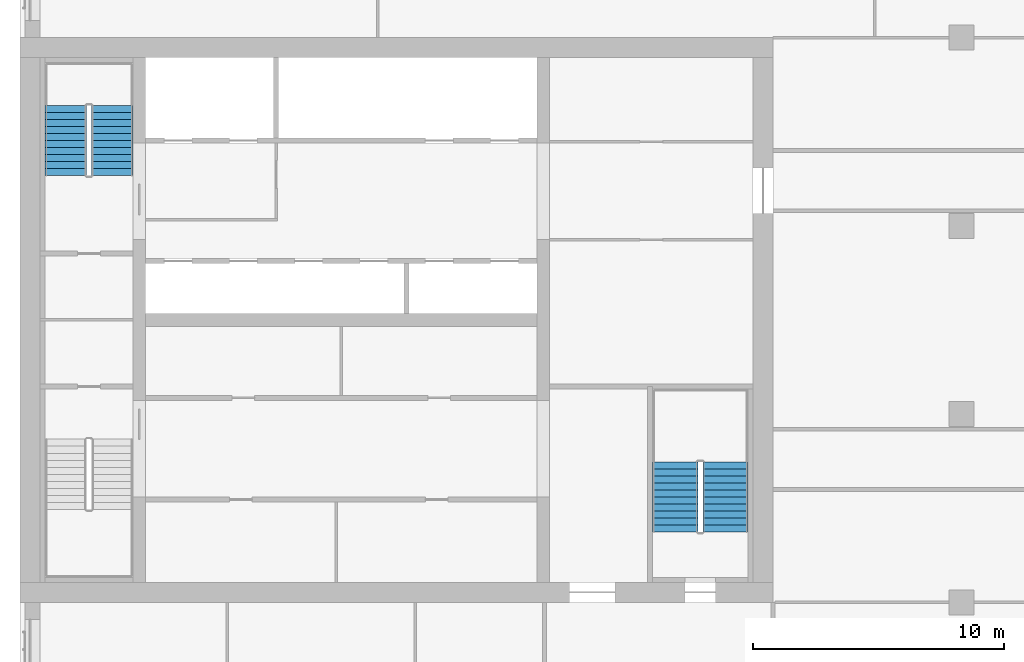
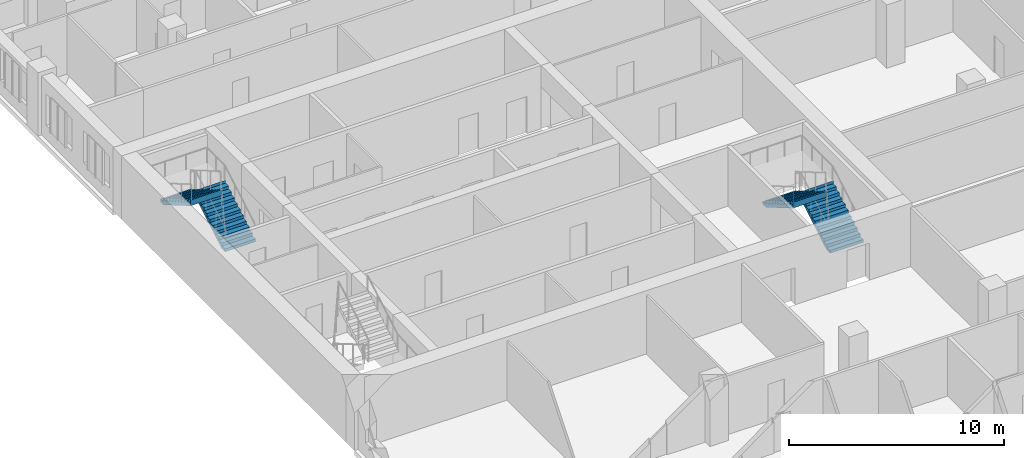
# One storey, part 12 of 13: 4 stair flights, 2 elements without a shape of their own.
"""IFC4 building model written with IfcOpenShell, lengths in metres."""

from ifc_helpers import new_model, si_unit, direction, frame, origin, place, context, subcontext, project, spatial, polyline, outline, extrude, material, type_object, element, aggregate, save


model = new_model("IFC4")

# Units and contexts
model_context = context("Model", 3, precision=1e-05, world=origin(), true_north=direction((0.0, 1.0)))
body_context = subcontext(model_context, "Body", "Model", "MODEL_VIEW")
ifc_project = project(units=[si_unit("LENGTHUNIT", "METRE"), si_unit("AREAUNIT", "SQUARE_METRE"), si_unit("VOLUMEUNIT", "CUBIC_METRE"), si_unit("PLANEANGLEUNIT", "RADIAN"), si_unit("MASSUNIT", "GRAM", prefix="KILO")], contexts=[model_context])

# Site, building, storey
site_placement = place(None, origin())
site = spatial("IfcSite", under=ifc_project, at=site_placement, CompositionType="ELEMENT")
building_placement = place(site_placement, origin())
building = spatial("IfcBuilding", under=site, at=building_placement, Name="Tamorin Gate", CompositionType="ELEMENT")
storey_placement = place(building_placement, frame((0.0, 0.0, 159.0)))
storey = spatial("IfcBuildingStorey", under=building, at=storey_placement, Name="L39", CompositionType="ELEMENT", Elevation=159.0)

# Stair, stair flights
ifc_material = material(Name="Concrete C40/50", Category="concrete")
stair_type = type_object("IfcStairType", Name="Exit stair", PredefinedType="HALF_TURN_STAIR", material=ifc_material)
stair_1_placement = place(storey_placement, origin())
stair_1 = element("IfcStair", 1, at=stair_1_placement, inside=storey, type_object=stair_type, Name="L39 stair ST2", PredefinedType="HALF_TURN_STAIR")
stair_flight_type = type_object("IfcStairFlightType", Name="Exit stair flight", PredefinedType="STRAIGHT", material=ifc_material)
stair_flight_1_placement = place(storey_placement, frame((33.675048828125, 77.0, 0.0), z_axis=(0.0, 0.0, 1.0), x_axis=(0.0, 1.0, 0.0)))
stair_flight_1 = element("IfcStairFlight", 2, at=stair_flight_1_placement, type_object=stair_flight_type, Name="ST2 flight 1", NumberOfRisers=11, NumberOfTreads=10, PredefinedType="STRAIGHT", RiserHeight=0.163636364, TreadLength=0.28, context=body_context, shape_type="SweptSolid", body=[
    extrude(outline(polyline([(-0.00048828125, 0.0), (-0.00048828125, 0.001708984375), (-0.00048828125, 0.003173828125), (-0.00048828125, 0.0048828125), (-0.00048828125, 0.006591796875), (-0.00048828125, 0.008056640625), (-0.00048828125, 0.009765625), (-0.00048828125, 0.01123046875), (-0.00048828125, 0.012939453125), (-0.00048828125, 0.0146484375), (-0.00048828125, 0.01611328125), (-0.00048828125, 0.017822265625), (-0.00048828125, 0.01953125), (-0.00048828125, 0.02099609375), (-0.00048828125, 0.022705078125), (-0.00048828125, 0.0244140625), (-0.00048828125, 0.02587890625), (-0.00048828125, 0.027587890625), (-0.00048828125, 0.029052734375), (-0.00048828125, 0.03076171875), (-0.00048828125, 0.032470703125), (-0.00048828125, 0.033935546875), (-0.00048828125, 0.03564453125), (-0.00048828125, 0.037353515625), (-0.00048828125, 0.038818359375), (-0.00048828125, 0.04052734375), (-0.00048828125, 0.042236328125), (-0.00048828125, 0.043701171875), (-0.00048828125, 0.04541015625), (-0.00048828125, 0.046875), (-0.00048828125, 0.048583984375), (-0.00048828125, 0.05029296875), (-0.00048828125, 0.0517578125), (-0.00048828125, 0.053466796875), (-0.00048828125, 0.05517578125), (-0.00048828125, 0.056640625), (-0.00048828125, 0.058349609375), (-0.00048828125, 0.06005859375), (-0.00048828125, 0.0615234375), (-0.00048828125, 0.063232421875), (-0.00048828125, 0.064697265625), (-0.00048828125, 0.06640625), (-0.00048828125, 0.068115234375), (-0.00048828125, 0.069580078125), (-0.00048828125, 0.0712890625), (-0.00048828125, 0.072998046875), (-0.00048828125, 0.074462890625), (-0.00048828125, 0.076171875), (-0.00048828125, 0.077880859375), (-0.00048828125, 0.079345703125), (-0.00048828125, 0.0810546875), (-0.00048828125, 0.08251953125), (-0.00048828125, 0.084228515625), (-0.00048828125, 0.0859375), (-0.00048828125, 0.08740234375), (-0.00048828125, 0.089111328125), (-0.00048828125, 0.0908203125), (-0.00048828125, 0.09228515625), (-0.00048828125, 0.093994140625), (-0.00048828125, 0.095703125), (-0.00048828125, 0.09716796875), (-0.00048828125, 0.098876953125), (-0.00048828125, 0.100341796875), (-0.00048828125, 0.10205078125), (-0.00048828125, 0.103759765625), (-0.00048828125, 0.105224609375), (-0.00048828125, 0.10693359375), (-0.00048828125, 0.108642578125), (-0.00048828125, 0.110107421875), (-0.00048828125, 0.11181640625), (-0.00048828125, 0.113525390625), (-0.00048828125, 0.114990234375), (-0.00048828125, 0.11669921875), (-0.00048828125, 0.1181640625), (-0.00048828125, 0.119873046875), (-0.00048828125, 0.12158203125), (-0.00048828125, 0.123046875), (-0.00048828125, 0.124755859375), (-0.00048828125, 0.12646484375), (-0.00048828125, 0.1279296875), (-0.00048828125, 0.129638671875), (-0.00048828125, 0.13134765625), (-0.00048828125, 0.1328125), (-0.00048828125, 0.134521484375), (-0.00048828125, 0.135986328125), (-0.00048828125, 0.1376953125), (-0.00048828125, 0.139404296875), (-0.00048828125, 0.140869140625), (-0.00048828125, 0.142578125), (-0.00048828125, 0.144287109375), (-0.00048828125, 0.145751953125), (-0.00048828125, 0.1474609375), (-0.00048828125, 0.149169921875), (-0.00048828125, 0.150634765625), (-0.00048828125, 0.15234375), (-0.00048828125, 0.15380859375), (-0.00048828125, 0.155517578125), (-0.00048828125, 0.1572265625), (-0.00048828125, 0.15869140625), (-0.00048828125, 0.160400390625), (-0.00048828125, 0.162109375), (-0.00048828125, 0.16357421875), (0.280029296875, 0.16357421875), (0.280029296875, 0.327392578125), (0.56005859375, 0.327392578125), (0.56005859375, 0.490966796875), (0.840087890625, 0.490966796875), (0.840087890625, 0.654541015625), (1.1201171875, 0.654541015625), (1.1201171875, 0.818115234375), (1.39990234375, 0.818115234375), (1.39990234375, 0.98193359375), (1.679931640625, 0.98193359375), (1.679931640625, 1.1455078125), (1.9599609375, 1.1455078125), (1.9599609375, 1.30908203125), (2.239990234375, 1.30908203125), (2.239990234375, 1.47265625), (2.52001953125, 1.47265625), (2.52001953125, 1.636474609375), (2.800048828125, 1.636474609375), (2.800048828125, 1.800048828125), (2.800537109375, 1.800048828125), (2.800537109375, 1.796630859375), (2.800537109375, 1.793212890625), (2.800537109375, 1.7900390625), (2.800537109375, 1.78662109375), (2.800537109375, 1.783203125), (2.800537109375, 1.780029296875), (2.800537109375, 1.776611328125), (2.800537109375, 1.773193359375), (2.800537109375, 1.77001953125), (2.800537109375, 1.7666015625), (2.800537109375, 1.76318359375), (2.800537109375, 1.760009765625), (2.800537109375, 1.756591796875), (2.800537109375, 1.753173828125), (2.800537109375, 1.75), (2.800537109375, 1.74658203125), (2.800537109375, 1.7431640625), (2.800537109375, 1.739990234375), (2.800537109375, 1.736572265625), (2.800537109375, 1.733154296875), (2.800537109375, 1.72998046875), (2.800537109375, 1.7265625), (2.800537109375, 1.72314453125), (2.800537109375, 1.719970703125), (2.800537109375, 1.716552734375), (2.800537109375, 1.713134765625), (2.800537109375, 1.7099609375), (2.800537109375, 1.70654296875), (2.800537109375, 1.703125), (2.800537109375, 1.69970703125), (2.800537109375, 1.696533203125), (2.800537109375, 1.693115234375), (2.800537109375, 1.689697265625), (2.800537109375, 1.6865234375), (2.800537109375, 1.68310546875), (2.800537109375, 1.6796875), (2.800537109375, 1.676513671875), (2.800537109375, 1.673095703125), (2.800537109375, 1.669677734375), (2.800537109375, 1.66650390625), (2.800537109375, 1.6630859375), (2.800537109375, 1.65966796875), (2.800537109375, 1.656494140625), (2.800537109375, 1.653076171875), (2.800537109375, 1.649658203125), (2.800537109375, 1.646484375), (2.800537109375, 1.64306640625), (2.800537109375, 1.6396484375), (2.800537109375, 1.636474609375), (2.800537109375, 1.633056640625), (2.800537109375, 1.629638671875), (2.800537109375, 1.62646484375), (2.800537109375, 1.623046875), (2.800537109375, 1.61962890625), (2.800537109375, 1.616455078125), (2.800537109375, 1.613037109375), (2.800537109375, 1.609619140625), (2.800537109375, 1.6064453125), (2.800537109375, 1.60302734375), (2.800537109375, 1.599609375), (2.800537109375, 1.59619140625), (2.800537109375, 1.593017578125), (2.800537109375, 1.589599609375), (2.800537109375, 1.586181640625), (2.800537109375, 1.5830078125), (2.800537109375, 1.57958984375), (2.800537109375, 1.576171875), (2.800537109375, 1.572998046875), (2.800537109375, 1.569580078125), (2.800537109375, 1.566162109375), (2.800537109375, 1.56298828125), (2.800537109375, 1.5595703125), (2.800537109375, 1.55615234375), (2.800537109375, 1.552978515625), (2.800537109375, 1.549560546875), (2.800537109375, 1.546142578125), (2.800537109375, 1.54296875), (2.800537109375, 1.53955078125), (2.800537109375, 1.5361328125), (2.800537109375, 1.532958984375), (2.800537109375, 1.529541015625), (2.800537109375, 1.526123046875), (2.800537109375, 1.52294921875), (2.800537109375, 1.51953125), (2.800537109375, 1.51611328125), (2.800537109375, 1.512939453125), (2.800537109375, 1.509521484375), (2.800537109375, 1.506103515625), (2.800537109375, 1.5029296875), (2.800537109375, 1.49951171875), (2.800537109375, 1.49609375), (2.800537109375, 1.49267578125), (2.800537109375, 1.489501953125), (2.800537109375, 1.486083984375), (2.800537109375, 1.482666015625), (2.800537109375, 1.4794921875), (2.800537109375, 1.47607421875), (2.800537109375, 1.47265625), (2.800537109375, 1.469482421875), (2.800537109375, 1.466064453125), (2.800537109375, 1.462646484375), (2.800048828125, 1.462646484375), (0.297119140625, 0.0), (-0.00048828125, 0.0)])), frame((0.0, 0.824951171875, 0.0), z_axis=(0.0, -1.0, 0.0), x_axis=(1.0, 0.0, 0.0)), (0.0, 0.0, 1.0), 1.64990234375),
])
stair_flight_2_placement = place(storey_placement, frame((31.824951171875, 79.800048828125, 1.800048828125), z_axis=(0.0, 0.0, 1.0), x_axis=(0.0, -1.0, 0.0)))
stair_flight_2 = element("IfcStairFlight", 3, at=stair_flight_2_placement, type_object=stair_flight_type, Name="ST2 flight 2", NumberOfRisers=11, NumberOfTreads=10, PredefinedType="STRAIGHT", RiserHeight=0.163636364, TreadLength=0.28, context=body_context, shape_type="SweptSolid", body=[
    extrude(outline(polyline([(-0.00048828125, 0.0), (-0.00048828125, 0.001708984375), (-0.00048828125, 0.003173828125), (-0.00048828125, 0.0048828125), (-0.00048828125, 0.006591796875), (-0.00048828125, 0.008056640625), (-0.00048828125, 0.009765625), (-0.00048828125, 0.01123046875), (-0.00048828125, 0.012939453125), (-0.00048828125, 0.0146484375), (-0.00048828125, 0.01611328125), (-0.00048828125, 0.017822265625), (-0.00048828125, 0.01953125), (-0.00048828125, 0.02099609375), (-0.00048828125, 0.022705078125), (-0.00048828125, 0.0244140625), (-0.00048828125, 0.02587890625), (-0.00048828125, 0.027587890625), (-0.00048828125, 0.029052734375), (-0.00048828125, 0.03076171875), (-0.00048828125, 0.032470703125), (-0.00048828125, 0.033935546875), (-0.00048828125, 0.03564453125), (-0.00048828125, 0.037353515625), (-0.00048828125, 0.038818359375), (-0.00048828125, 0.04052734375), (-0.00048828125, 0.042236328125), (-0.00048828125, 0.043701171875), (-0.00048828125, 0.04541015625), (-0.00048828125, 0.046875), (-0.00048828125, 0.048583984375), (-0.00048828125, 0.05029296875), (-0.00048828125, 0.0517578125), (-0.00048828125, 0.053466796875), (-0.00048828125, 0.05517578125), (-0.00048828125, 0.056640625), (-0.00048828125, 0.058349609375), (-0.00048828125, 0.06005859375), (-0.00048828125, 0.0615234375), (-0.00048828125, 0.063232421875), (-0.00048828125, 0.064697265625), (-0.00048828125, 0.06640625), (-0.00048828125, 0.068115234375), (-0.00048828125, 0.069580078125), (-0.00048828125, 0.0712890625), (-0.00048828125, 0.072998046875), (-0.00048828125, 0.074462890625), (-0.00048828125, 0.076171875), (-0.00048828125, 0.077880859375), (-0.00048828125, 0.079345703125), (-0.00048828125, 0.0810546875), (-0.00048828125, 0.08251953125), (-0.00048828125, 0.084228515625), (-0.00048828125, 0.0859375), (-0.00048828125, 0.08740234375), (-0.00048828125, 0.089111328125), (-0.00048828125, 0.0908203125), (-0.00048828125, 0.09228515625), (-0.00048828125, 0.093994140625), (-0.00048828125, 0.095703125), (-0.00048828125, 0.09716796875), (-0.00048828125, 0.098876953125), (-0.00048828125, 0.100341796875), (-0.00048828125, 0.10205078125), (-0.00048828125, 0.103759765625), (-0.00048828125, 0.105224609375), (-0.00048828125, 0.10693359375), (-0.00048828125, 0.108642578125), (-0.00048828125, 0.110107421875), (-0.00048828125, 0.11181640625), (-0.00048828125, 0.113525390625), (-0.00048828125, 0.114990234375), (-0.00048828125, 0.11669921875), (-0.00048828125, 0.1181640625), (-0.00048828125, 0.119873046875), (-0.00048828125, 0.12158203125), (-0.00048828125, 0.123046875), (-0.00048828125, 0.124755859375), (-0.00048828125, 0.12646484375), (-0.00048828125, 0.1279296875), (-0.00048828125, 0.129638671875), (-0.00048828125, 0.13134765625), (-0.00048828125, 0.1328125), (-0.00048828125, 0.134521484375), (-0.00048828125, 0.135986328125), (-0.00048828125, 0.1376953125), (-0.00048828125, 0.139404296875), (-0.00048828125, 0.140869140625), (-0.00048828125, 0.142578125), (-0.00048828125, 0.144287109375), (-0.00048828125, 0.145751953125), (-0.00048828125, 0.1474609375), (-0.00048828125, 0.149169921875), (-0.00048828125, 0.150634765625), (-0.00048828125, 0.15234375), (-0.00048828125, 0.15380859375), (-0.00048828125, 0.155517578125), (-0.00048828125, 0.1572265625), (-0.00048828125, 0.15869140625), (-0.00048828125, 0.160400390625), (-0.00048828125, 0.162109375), (-0.00048828125, 0.16357421875), (0.280029296875, 0.16357421875), (0.280029296875, 0.327392578125), (0.56005859375, 0.327392578125), (0.56005859375, 0.490966796875), (0.840087890625, 0.490966796875), (0.840087890625, 0.654541015625), (1.1201171875, 0.654541015625), (1.1201171875, 0.818115234375), (1.39990234375, 0.818115234375), (1.39990234375, 0.98193359375), (1.679931640625, 0.98193359375), (1.679931640625, 1.1455078125), (1.9599609375, 1.1455078125), (1.9599609375, 1.30908203125), (2.239990234375, 1.30908203125), (2.239990234375, 1.47265625), (2.52001953125, 1.47265625), (2.52001953125, 1.636474609375), (2.800048828125, 1.636474609375), (2.800048828125, 1.800048828125), (2.800537109375, 1.800048828125), (2.800537109375, 1.796630859375), (2.800537109375, 1.793212890625), (2.800537109375, 1.7900390625), (2.800537109375, 1.78662109375), (2.800537109375, 1.783203125), (2.800537109375, 1.780029296875), (2.800537109375, 1.776611328125), (2.800537109375, 1.773193359375), (2.800537109375, 1.77001953125), (2.800537109375, 1.7666015625), (2.800537109375, 1.76318359375), (2.800537109375, 1.760009765625), (2.800537109375, 1.756591796875), (2.800537109375, 1.753173828125), (2.800537109375, 1.75), (2.800537109375, 1.74658203125), (2.800537109375, 1.7431640625), (2.800537109375, 1.739990234375), (2.800537109375, 1.736572265625), (2.800537109375, 1.733154296875), (2.800537109375, 1.72998046875), (2.800537109375, 1.7265625), (2.800537109375, 1.72314453125), (2.800537109375, 1.719970703125), (2.800537109375, 1.716552734375), (2.800537109375, 1.713134765625), (2.800537109375, 1.7099609375), (2.800537109375, 1.70654296875), (2.800537109375, 1.703125), (2.800537109375, 1.69970703125), (2.800537109375, 1.696533203125), (2.800537109375, 1.693115234375), (2.800537109375, 1.689697265625), (2.800537109375, 1.6865234375), (2.800537109375, 1.68310546875), (2.800537109375, 1.6796875), (2.800537109375, 1.676513671875), (2.800537109375, 1.673095703125), (2.800537109375, 1.669677734375), (2.800537109375, 1.66650390625), (2.800537109375, 1.6630859375), (2.800537109375, 1.65966796875), (2.800537109375, 1.656494140625), (2.800537109375, 1.653076171875), (2.800537109375, 1.649658203125), (2.800537109375, 1.646484375), (2.800537109375, 1.64306640625), (2.800537109375, 1.6396484375), (2.800537109375, 1.636474609375), (2.800537109375, 1.633056640625), (2.800537109375, 1.629638671875), (2.800537109375, 1.62646484375), (2.800537109375, 1.623046875), (2.800537109375, 1.61962890625), (2.800537109375, 1.616455078125), (2.800537109375, 1.613037109375), (2.800537109375, 1.609619140625), (2.800537109375, 1.6064453125), (2.800537109375, 1.60302734375), (2.800537109375, 1.599609375), (2.800537109375, 1.59619140625), (2.800537109375, 1.593017578125), (2.800537109375, 1.589599609375), (2.800537109375, 1.586181640625), (2.800537109375, 1.5830078125), (2.800537109375, 1.57958984375), (2.800537109375, 1.576171875), (2.800537109375, 1.572998046875), (2.800537109375, 1.569580078125), (2.800537109375, 1.566162109375), (2.800537109375, 1.56298828125), (2.800537109375, 1.5595703125), (2.800537109375, 1.55615234375), (2.800537109375, 1.552978515625), (2.800537109375, 1.549560546875), (2.800537109375, 1.546142578125), (2.800537109375, 1.54296875), (2.800537109375, 1.53955078125), (2.800537109375, 1.5361328125), (2.800537109375, 1.532958984375), (2.800537109375, 1.529541015625), (2.800537109375, 1.526123046875), (2.800537109375, 1.52294921875), (2.800537109375, 1.51953125), (2.800537109375, 1.51611328125), (2.800537109375, 1.512939453125), (2.800537109375, 1.509521484375), (2.800537109375, 1.506103515625), (2.800537109375, 1.5029296875), (2.800537109375, 1.49951171875), (2.800537109375, 1.49609375), (2.800537109375, 1.49267578125), (2.800537109375, 1.489501953125), (2.800537109375, 1.486083984375), (2.800537109375, 1.482666015625), (2.800537109375, 1.4794921875), (2.800537109375, 1.47607421875), (2.800537109375, 1.47265625), (2.800537109375, 1.469482421875), (2.800537109375, 1.466064453125), (2.800537109375, 1.462646484375), (2.800048828125, 1.462646484375), (0.297119140625, 0.0), (-0.00048828125, 0.0)])), frame((0.0, 0.824951171875, 0.0), z_axis=(0.0, -1.0, 0.0), x_axis=(1.0, 0.0, 0.0)), (0.0, 0.0, 1.0), 1.64990234375),
])
aggregate(stair_1, [stair_flight_1, stair_flight_2])

stair_2_placement = place(storey_placement, origin())
stair_2 = element("IfcStair", 4, at=stair_2_placement, inside=storey, type_object=stair_type, Name="L39 stair ST3", PredefinedType="HALF_TURN_STAIR")
stair_flight_3_placement = place(storey_placement, frame((58.10009765625, 62.800048828125, 0.0), z_axis=(0.0, 0.0, 1.0), x_axis=(0.0, 1.0, 0.0)))
stair_flight_3 = element("IfcStairFlight", 5, at=stair_flight_3_placement, type_object=stair_flight_type, Name="ST3 flight 1", NumberOfRisers=11, NumberOfTreads=10, PredefinedType="STRAIGHT", RiserHeight=0.163636364, TreadLength=0.28, context=body_context, shape_type="SweptSolid", body=[
    extrude(outline(polyline([(-0.00048828125, 0.0), (-0.00048828125, 0.001708984375), (-0.00048828125, 0.003173828125), (-0.00048828125, 0.0048828125), (-0.00048828125, 0.006591796875), (-0.00048828125, 0.008056640625), (-0.00048828125, 0.009765625), (-0.00048828125, 0.01123046875), (-0.00048828125, 0.012939453125), (-0.00048828125, 0.0146484375), (-0.00048828125, 0.01611328125), (-0.00048828125, 0.017822265625), (-0.00048828125, 0.01953125), (-0.00048828125, 0.02099609375), (-0.00048828125, 0.022705078125), (-0.00048828125, 0.0244140625), (-0.00048828125, 0.02587890625), (-0.00048828125, 0.027587890625), (-0.00048828125, 0.029052734375), (-0.00048828125, 0.03076171875), (-0.00048828125, 0.032470703125), (-0.00048828125, 0.033935546875), (-0.00048828125, 0.03564453125), (-0.00048828125, 0.037353515625), (-0.00048828125, 0.038818359375), (-0.00048828125, 0.04052734375), (-0.00048828125, 0.042236328125), (-0.00048828125, 0.043701171875), (-0.00048828125, 0.04541015625), (-0.00048828125, 0.046875), (-0.00048828125, 0.048583984375), (-0.00048828125, 0.05029296875), (-0.00048828125, 0.0517578125), (-0.00048828125, 0.053466796875), (-0.00048828125, 0.05517578125), (-0.00048828125, 0.056640625), (-0.00048828125, 0.058349609375), (-0.00048828125, 0.06005859375), (-0.00048828125, 0.0615234375), (-0.00048828125, 0.063232421875), (-0.00048828125, 0.064697265625), (-0.00048828125, 0.06640625), (-0.00048828125, 0.068115234375), (-0.00048828125, 0.069580078125), (-0.00048828125, 0.0712890625), (-0.00048828125, 0.072998046875), (-0.00048828125, 0.074462890625), (-0.00048828125, 0.076171875), (-0.00048828125, 0.077880859375), (-0.00048828125, 0.079345703125), (-0.00048828125, 0.0810546875), (-0.00048828125, 0.08251953125), (-0.00048828125, 0.084228515625), (-0.00048828125, 0.0859375), (-0.00048828125, 0.08740234375), (-0.00048828125, 0.089111328125), (-0.00048828125, 0.0908203125), (-0.00048828125, 0.09228515625), (-0.00048828125, 0.093994140625), (-0.00048828125, 0.095703125), (-0.00048828125, 0.09716796875), (-0.00048828125, 0.098876953125), (-0.00048828125, 0.100341796875), (-0.00048828125, 0.10205078125), (-0.00048828125, 0.103759765625), (-0.00048828125, 0.105224609375), (-0.00048828125, 0.10693359375), (-0.00048828125, 0.108642578125), (-0.00048828125, 0.110107421875), (-0.00048828125, 0.11181640625), (-0.00048828125, 0.113525390625), (-0.00048828125, 0.114990234375), (-0.00048828125, 0.11669921875), (-0.00048828125, 0.1181640625), (-0.00048828125, 0.119873046875), (-0.00048828125, 0.12158203125), (-0.00048828125, 0.123046875), (-0.00048828125, 0.124755859375), (-0.00048828125, 0.12646484375), (-0.00048828125, 0.1279296875), (-0.00048828125, 0.129638671875), (-0.00048828125, 0.13134765625), (-0.00048828125, 0.1328125), (-0.00048828125, 0.134521484375), (-0.00048828125, 0.135986328125), (-0.00048828125, 0.1376953125), (-0.00048828125, 0.139404296875), (-0.00048828125, 0.140869140625), (-0.00048828125, 0.142578125), (-0.00048828125, 0.144287109375), (-0.00048828125, 0.145751953125), (-0.00048828125, 0.1474609375), (-0.00048828125, 0.149169921875), (-0.00048828125, 0.150634765625), (-0.00048828125, 0.15234375), (-0.00048828125, 0.15380859375), (-0.00048828125, 0.155517578125), (-0.00048828125, 0.1572265625), (-0.00048828125, 0.15869140625), (-0.00048828125, 0.160400390625), (-0.00048828125, 0.162109375), (-0.00048828125, 0.16357421875), (0.280029296875, 0.16357421875), (0.280029296875, 0.327392578125), (0.56005859375, 0.327392578125), (0.56005859375, 0.490966796875), (0.840087890625, 0.490966796875), (0.840087890625, 0.654541015625), (1.1201171875, 0.654541015625), (1.1201171875, 0.818115234375), (1.39990234375, 0.818115234375), (1.39990234375, 0.98193359375), (1.679931640625, 0.98193359375), (1.679931640625, 1.1455078125), (1.9599609375, 1.1455078125), (1.9599609375, 1.30908203125), (2.239990234375, 1.30908203125), (2.239990234375, 1.47265625), (2.52001953125, 1.47265625), (2.52001953125, 1.636474609375), (2.800048828125, 1.636474609375), (2.800048828125, 1.800048828125), (2.800537109375, 1.800048828125), (2.800537109375, 1.796630859375), (2.800537109375, 1.793212890625), (2.800537109375, 1.7900390625), (2.800537109375, 1.78662109375), (2.800537109375, 1.783203125), (2.800537109375, 1.780029296875), (2.800537109375, 1.776611328125), (2.800537109375, 1.773193359375), (2.800537109375, 1.77001953125), (2.800537109375, 1.7666015625), (2.800537109375, 1.76318359375), (2.800537109375, 1.760009765625), (2.800537109375, 1.756591796875), (2.800537109375, 1.753173828125), (2.800537109375, 1.75), (2.800537109375, 1.74658203125), (2.800537109375, 1.7431640625), (2.800537109375, 1.739990234375), (2.800537109375, 1.736572265625), (2.800537109375, 1.733154296875), (2.800537109375, 1.72998046875), (2.800537109375, 1.7265625), (2.800537109375, 1.72314453125), (2.800537109375, 1.719970703125), (2.800537109375, 1.716552734375), (2.800537109375, 1.713134765625), (2.800537109375, 1.7099609375), (2.800537109375, 1.70654296875), (2.800537109375, 1.703125), (2.800537109375, 1.69970703125), (2.800537109375, 1.696533203125), (2.800537109375, 1.693115234375), (2.800537109375, 1.689697265625), (2.800537109375, 1.6865234375), (2.800537109375, 1.68310546875), (2.800537109375, 1.6796875), (2.800537109375, 1.676513671875), (2.800537109375, 1.673095703125), (2.800537109375, 1.669677734375), (2.800537109375, 1.66650390625), (2.800537109375, 1.6630859375), (2.800537109375, 1.65966796875), (2.800537109375, 1.656494140625), (2.800537109375, 1.653076171875), (2.800537109375, 1.649658203125), (2.800537109375, 1.646484375), (2.800537109375, 1.64306640625), (2.800537109375, 1.6396484375), (2.800537109375, 1.636474609375), (2.800537109375, 1.633056640625), (2.800537109375, 1.629638671875), (2.800537109375, 1.62646484375), (2.800537109375, 1.623046875), (2.800537109375, 1.61962890625), (2.800537109375, 1.616455078125), (2.800537109375, 1.613037109375), (2.800537109375, 1.609619140625), (2.800537109375, 1.6064453125), (2.800537109375, 1.60302734375), (2.800537109375, 1.599609375), (2.800537109375, 1.59619140625), (2.800537109375, 1.593017578125), (2.800537109375, 1.589599609375), (2.800537109375, 1.586181640625), (2.800537109375, 1.5830078125), (2.800537109375, 1.57958984375), (2.800537109375, 1.576171875), (2.800537109375, 1.572998046875), (2.800537109375, 1.569580078125), (2.800537109375, 1.566162109375), (2.800537109375, 1.56298828125), (2.800537109375, 1.5595703125), (2.800537109375, 1.55615234375), (2.800537109375, 1.552978515625), (2.800537109375, 1.549560546875), (2.800537109375, 1.546142578125), (2.800537109375, 1.54296875), (2.800537109375, 1.53955078125), (2.800537109375, 1.5361328125), (2.800537109375, 1.532958984375), (2.800537109375, 1.529541015625), (2.800537109375, 1.526123046875), (2.800537109375, 1.52294921875), (2.800537109375, 1.51953125), (2.800537109375, 1.51611328125), (2.800537109375, 1.512939453125), (2.800537109375, 1.509521484375), (2.800537109375, 1.506103515625), (2.800537109375, 1.5029296875), (2.800537109375, 1.49951171875), (2.800537109375, 1.49609375), (2.800537109375, 1.49267578125), (2.800537109375, 1.489501953125), (2.800537109375, 1.486083984375), (2.800537109375, 1.482666015625), (2.800537109375, 1.4794921875), (2.800537109375, 1.47607421875), (2.800537109375, 1.47265625), (2.800537109375, 1.469482421875), (2.800537109375, 1.466064453125), (2.800537109375, 1.462646484375), (2.800048828125, 1.462646484375), (0.297119140625, 0.0), (-0.00048828125, 0.0)])), frame((0.0, 0.89990234375, 0.0), z_axis=(0.0, -1.0, 0.0), x_axis=(1.0, 0.0, 0.0)), (0.0, 0.0, 1.0), 1.800048828125),
])
stair_flight_4_placement = place(storey_placement, frame((56.10009765625, 65.60009765625, 1.800048828125), z_axis=(0.0, 0.0, 1.0), x_axis=(0.0, -1.0, 0.0)))
stair_flight_4 = element("IfcStairFlight", 6, at=stair_flight_4_placement, type_object=stair_flight_type, Name="ST3 flight 2", NumberOfRisers=11, NumberOfTreads=10, PredefinedType="STRAIGHT", RiserHeight=0.163636364, TreadLength=0.28, context=body_context, shape_type="SweptSolid", body=[
    extrude(outline(polyline([(-0.00048828125, 0.0), (-0.00048828125, 0.001708984375), (-0.00048828125, 0.003173828125), (-0.00048828125, 0.0048828125), (-0.00048828125, 0.006591796875), (-0.00048828125, 0.008056640625), (-0.00048828125, 0.009765625), (-0.00048828125, 0.01123046875), (-0.00048828125, 0.012939453125), (-0.00048828125, 0.0146484375), (-0.00048828125, 0.01611328125), (-0.00048828125, 0.017822265625), (-0.00048828125, 0.01953125), (-0.00048828125, 0.02099609375), (-0.00048828125, 0.022705078125), (-0.00048828125, 0.0244140625), (-0.00048828125, 0.02587890625), (-0.00048828125, 0.027587890625), (-0.00048828125, 0.029052734375), (-0.00048828125, 0.03076171875), (-0.00048828125, 0.032470703125), (-0.00048828125, 0.033935546875), (-0.00048828125, 0.03564453125), (-0.00048828125, 0.037353515625), (-0.00048828125, 0.038818359375), (-0.00048828125, 0.04052734375), (-0.00048828125, 0.042236328125), (-0.00048828125, 0.043701171875), (-0.00048828125, 0.04541015625), (-0.00048828125, 0.046875), (-0.00048828125, 0.048583984375), (-0.00048828125, 0.05029296875), (-0.00048828125, 0.0517578125), (-0.00048828125, 0.053466796875), (-0.00048828125, 0.05517578125), (-0.00048828125, 0.056640625), (-0.00048828125, 0.058349609375), (-0.00048828125, 0.06005859375), (-0.00048828125, 0.0615234375), (-0.00048828125, 0.063232421875), (-0.00048828125, 0.064697265625), (-0.00048828125, 0.06640625), (-0.00048828125, 0.068115234375), (-0.00048828125, 0.069580078125), (-0.00048828125, 0.0712890625), (-0.00048828125, 0.072998046875), (-0.00048828125, 0.074462890625), (-0.00048828125, 0.076171875), (-0.00048828125, 0.077880859375), (-0.00048828125, 0.079345703125), (-0.00048828125, 0.0810546875), (-0.00048828125, 0.08251953125), (-0.00048828125, 0.084228515625), (-0.00048828125, 0.0859375), (-0.00048828125, 0.08740234375), (-0.00048828125, 0.089111328125), (-0.00048828125, 0.0908203125), (-0.00048828125, 0.09228515625), (-0.00048828125, 0.093994140625), (-0.00048828125, 0.095703125), (-0.00048828125, 0.09716796875), (-0.00048828125, 0.098876953125), (-0.00048828125, 0.100341796875), (-0.00048828125, 0.10205078125), (-0.00048828125, 0.103759765625), (-0.00048828125, 0.105224609375), (-0.00048828125, 0.10693359375), (-0.00048828125, 0.108642578125), (-0.00048828125, 0.110107421875), (-0.00048828125, 0.11181640625), (-0.00048828125, 0.113525390625), (-0.00048828125, 0.114990234375), (-0.00048828125, 0.11669921875), (-0.00048828125, 0.1181640625), (-0.00048828125, 0.119873046875), (-0.00048828125, 0.12158203125), (-0.00048828125, 0.123046875), (-0.00048828125, 0.124755859375), (-0.00048828125, 0.12646484375), (-0.00048828125, 0.1279296875), (-0.00048828125, 0.129638671875), (-0.00048828125, 0.13134765625), (-0.00048828125, 0.1328125), (-0.00048828125, 0.134521484375), (-0.00048828125, 0.135986328125), (-0.00048828125, 0.1376953125), (-0.00048828125, 0.139404296875), (-0.00048828125, 0.140869140625), (-0.00048828125, 0.142578125), (-0.00048828125, 0.144287109375), (-0.00048828125, 0.145751953125), (-0.00048828125, 0.1474609375), (-0.00048828125, 0.149169921875), (-0.00048828125, 0.150634765625), (-0.00048828125, 0.15234375), (-0.00048828125, 0.15380859375), (-0.00048828125, 0.155517578125), (-0.00048828125, 0.1572265625), (-0.00048828125, 0.15869140625), (-0.00048828125, 0.160400390625), (-0.00048828125, 0.162109375), (-0.00048828125, 0.16357421875), (0.280029296875, 0.16357421875), (0.280029296875, 0.327392578125), (0.56005859375, 0.327392578125), (0.56005859375, 0.490966796875), (0.840087890625, 0.490966796875), (0.840087890625, 0.654541015625), (1.1201171875, 0.654541015625), (1.1201171875, 0.818115234375), (1.39990234375, 0.818115234375), (1.39990234375, 0.98193359375), (1.679931640625, 0.98193359375), (1.679931640625, 1.1455078125), (1.9599609375, 1.1455078125), (1.9599609375, 1.30908203125), (2.239990234375, 1.30908203125), (2.239990234375, 1.47265625), (2.52001953125, 1.47265625), (2.52001953125, 1.636474609375), (2.800048828125, 1.636474609375), (2.800048828125, 1.800048828125), (2.800537109375, 1.800048828125), (2.800537109375, 1.796630859375), (2.800537109375, 1.793212890625), (2.800537109375, 1.7900390625), (2.800537109375, 1.78662109375), (2.800537109375, 1.783203125), (2.800537109375, 1.780029296875), (2.800537109375, 1.776611328125), (2.800537109375, 1.773193359375), (2.800537109375, 1.77001953125), (2.800537109375, 1.7666015625), (2.800537109375, 1.76318359375), (2.800537109375, 1.760009765625), (2.800537109375, 1.756591796875), (2.800537109375, 1.753173828125), (2.800537109375, 1.75), (2.800537109375, 1.74658203125), (2.800537109375, 1.7431640625), (2.800537109375, 1.739990234375), (2.800537109375, 1.736572265625), (2.800537109375, 1.733154296875), (2.800537109375, 1.72998046875), (2.800537109375, 1.7265625), (2.800537109375, 1.72314453125), (2.800537109375, 1.719970703125), (2.800537109375, 1.716552734375), (2.800537109375, 1.713134765625), (2.800537109375, 1.7099609375), (2.800537109375, 1.70654296875), (2.800537109375, 1.703125), (2.800537109375, 1.69970703125), (2.800537109375, 1.696533203125), (2.800537109375, 1.693115234375), (2.800537109375, 1.689697265625), (2.800537109375, 1.6865234375), (2.800537109375, 1.68310546875), (2.800537109375, 1.6796875), (2.800537109375, 1.676513671875), (2.800537109375, 1.673095703125), (2.800537109375, 1.669677734375), (2.800537109375, 1.66650390625), (2.800537109375, 1.6630859375), (2.800537109375, 1.65966796875), (2.800537109375, 1.656494140625), (2.800537109375, 1.653076171875), (2.800537109375, 1.649658203125), (2.800537109375, 1.646484375), (2.800537109375, 1.64306640625), (2.800537109375, 1.6396484375), (2.800537109375, 1.636474609375), (2.800537109375, 1.633056640625), (2.800537109375, 1.629638671875), (2.800537109375, 1.62646484375), (2.800537109375, 1.623046875), (2.800537109375, 1.61962890625), (2.800537109375, 1.616455078125), (2.800537109375, 1.613037109375), (2.800537109375, 1.609619140625), (2.800537109375, 1.6064453125), (2.800537109375, 1.60302734375), (2.800537109375, 1.599609375), (2.800537109375, 1.59619140625), (2.800537109375, 1.593017578125), (2.800537109375, 1.589599609375), (2.800537109375, 1.586181640625), (2.800537109375, 1.5830078125), (2.800537109375, 1.57958984375), (2.800537109375, 1.576171875), (2.800537109375, 1.572998046875), (2.800537109375, 1.569580078125), (2.800537109375, 1.566162109375), (2.800537109375, 1.56298828125), (2.800537109375, 1.5595703125), (2.800537109375, 1.55615234375), (2.800537109375, 1.552978515625), (2.800537109375, 1.549560546875), (2.800537109375, 1.546142578125), (2.800537109375, 1.54296875), (2.800537109375, 1.53955078125), (2.800537109375, 1.5361328125), (2.800537109375, 1.532958984375), (2.800537109375, 1.529541015625), (2.800537109375, 1.526123046875), (2.800537109375, 1.52294921875), (2.800537109375, 1.51953125), (2.800537109375, 1.51611328125), (2.800537109375, 1.512939453125), (2.800537109375, 1.509521484375), (2.800537109375, 1.506103515625), (2.800537109375, 1.5029296875), (2.800537109375, 1.49951171875), (2.800537109375, 1.49609375), (2.800537109375, 1.49267578125), (2.800537109375, 1.489501953125), (2.800537109375, 1.486083984375), (2.800537109375, 1.482666015625), (2.800537109375, 1.4794921875), (2.800537109375, 1.47607421875), (2.800537109375, 1.47265625), (2.800537109375, 1.469482421875), (2.800537109375, 1.466064453125), (2.800537109375, 1.462646484375), (2.800048828125, 1.462646484375), (0.297119140625, 0.0), (-0.00048828125, 0.0)])), frame((0.0, 0.89990234375, 0.0), z_axis=(0.0, -1.0, 0.0), x_axis=(1.0, 0.0, 0.0)), (0.0, 0.0, 1.0), 1.800048828125),
])
aggregate(stair_2, [stair_flight_3, stair_flight_4])

save(model, "model.ifc")
